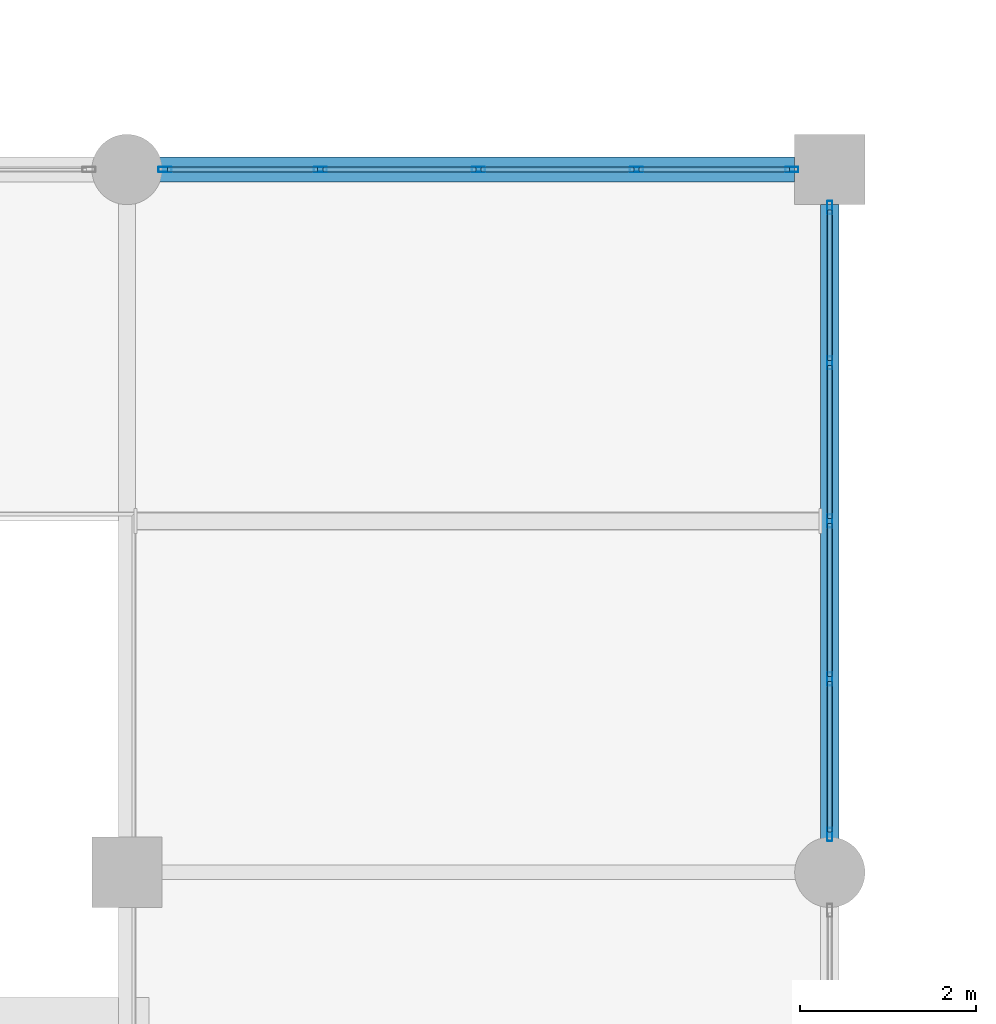
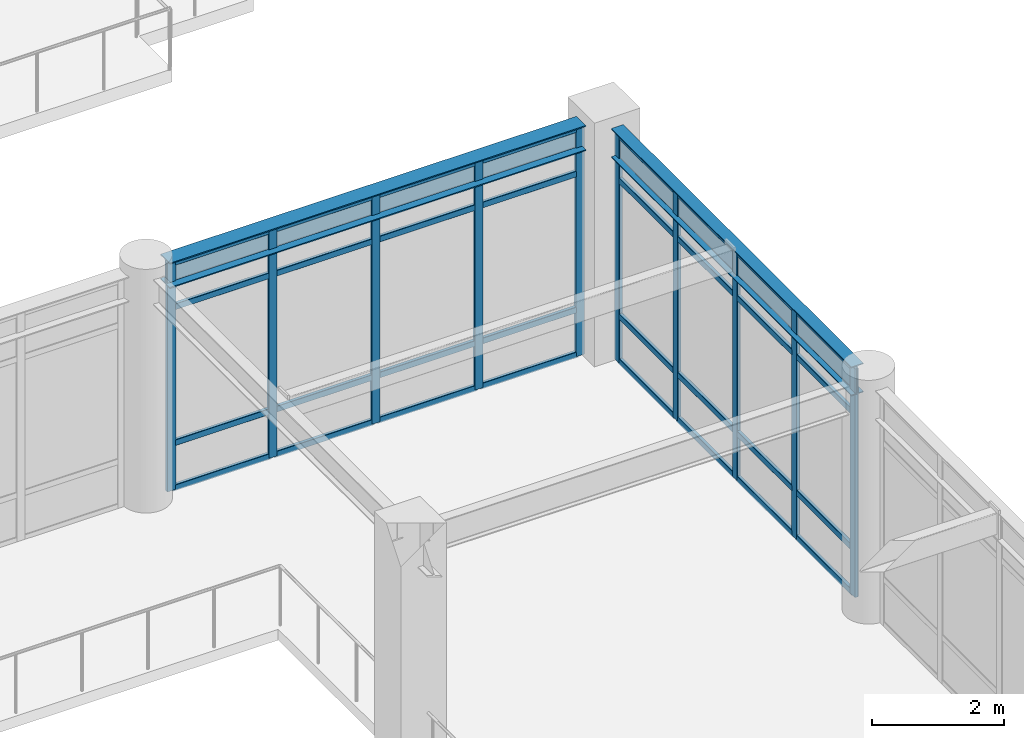
# One storey, part 47 of 93: 42 members, 2 beams, 2 elements without a shape of their own.
"""IFC4 building model written with IfcOpenShell, lengths in metres."""

from ifc_helpers import new_model, si_unit, direction, frame, origin, origin_2d, place, context, subcontext, project, spatial, hollow_rectangle, i_section, extrude, material, material_profile, profile_set, type_object, element, aggregate, save


model = new_model("IFC4")

# Units and contexts
model_context = context("Model", 3, precision=1e-05, world=origin(), true_north=direction((0.0, 1.0)))
body_context = subcontext(model_context, "Body", "Model", "MODEL_VIEW")
ifc_project = project(units=[si_unit("LENGTHUNIT", "METRE"), si_unit("AREAUNIT", "SQUARE_METRE"), si_unit("VOLUMEUNIT", "CUBIC_METRE"), si_unit("PLANEANGLEUNIT", "RADIAN"), si_unit("MASSUNIT", "GRAM", prefix="KILO")], contexts=[model_context])

# Site, building, storey
site_placement = place(None, origin())
site = spatial("IfcSite", under=ifc_project, at=site_placement, CompositionType="ELEMENT")
building_placement = place(site_placement, origin())
building = spatial("IfcBuilding", under=site, at=building_placement, Name="Solmirada Galleria", CompositionType="ELEMENT")
storey_placement = place(building_placement, frame((0.0, 0.0, 14.89990234375)))
storey = spatial("IfcBuildingStorey", under=building, at=storey_placement, Name="L03", CompositionType="ELEMENT", Elevation=14.89990234375)

# Beams
ifc_material_1 = material(Name="Steel S355 / ASTM A992 Grade 50", Category="steel")
ifc_material_profile_1 = material_profile(ifc_material_1, i_section(OverallWidth=0.281982421875, OverallDepth=0.467041015625, WebThickness=0.01220703125, FlangeThickness=0.01953125, FilletRadius=0.013916015625, at=origin_2d()), Name="W18X86")
ifc_profile_set_1 = profile_set([ifc_material_profile_1], Name="Steel S355 / ASTM A992 Grade 50")
beam_type_1 = type_object("IfcBeamType", Name="BM-GIRD-W18A", PredefinedType="BEAM", material=ifc_profile_set_1)
beam_1_placement = place(storey_placement, frame((104.3359375, 72.0, 4.066650390625), z_axis=(1.0, 0.0, 0.0), x_axis=(0.0, 1.0, 0.0)))
element("IfcBeam", 1, at=beam_1_placement, inside=storey, type_object=beam_type_1, Name="Primary beam L04 X(104..112, 72)", PredefinedType="BEAM", context=body_context, shape_type="SweptSolid", body=[
    extrude(i_section(OverallWidth=0.281982421875, OverallDepth=0.467041015625, WebThickness=0.01220703125, FlangeThickness=0.01953125, FilletRadius=0.013916015625, at=origin_2d()), origin(), (0.0, 0.0, 1.0), 7.26416015625),
])
ifc_material_profile_2 = material_profile(ifc_material_1, i_section(OverallWidth=0.2099609375, OverallDepth=0.537109375, WebThickness=0.010986328125, FlangeThickness=0.017333984375, FilletRadius=0.014892578125, at=origin_2d()), Name="W21X68")
ifc_profile_set_2 = profile_set([ifc_material_profile_2], Name="Steel S355 / ASTM A992 Grade 50")
beam_type_2 = type_object("IfcBeamType", Name="BM-GIRD-W21B", PredefinedType="BEAM", material=ifc_profile_set_2)
beam_2_placement = place(storey_placement, frame((112.0, 64.3359375, 4.031494140625), z_axis=(0.0, 1.0, 0.0), x_axis=(-1.0, 0.0, 0.0)))
element("IfcBeam", 2, at=beam_2_placement, inside=storey, type_object=beam_type_2, Name="Primary girder L04 Y(112, 64..72)", PredefinedType="BEAM", context=body_context, shape_type="SweptSolid", body=[
    extrude(i_section(OverallWidth=0.2099609375, OverallDepth=0.537109375, WebThickness=0.010986328125, FlangeThickness=0.017333984375, FilletRadius=0.014892578125, at=origin_2d()), origin(), (0.0, 0.0, 1.0), 7.26416015625),
])

# Curtain wall, members
ifc_material_2 = material(Name="Impact-resistant low-E double glazing", Category="glass")
curtain_wall_type = type_object("IfcCurtainWallType", Name="CW-FZ3-L03-B4-L072", PredefinedType="NOTDEFINED", material=ifc_material_2)
curtain_wall_1_placement = place(storey_placement, origin())
curtain_wall_1 = element("IfcCurtainWall", 3, at=curtain_wall_1_placement, inside=storey, type_object=curtain_wall_type, Name="Terrace and arcade storefront CW-L03-130", PredefinedType="NOTDEFINED")
ifc_material_3 = material(Name="Anodised aluminium framing", Category="aluminium")
ifc_material_profile_3 = material_profile(ifc_material_3, hollow_rectangle(XDim=0.06005859375, YDim=0.14990234375, WallThickness=0.00341796875, InnerFilletRadius=0.00341796875, OuterFilletRadius=0.007080078125, at=origin_2d()), Name="ALU-MULL-150X60")
ifc_profile_set_3 = profile_set([ifc_material_profile_3], Name="Anodised aluminium framing")
member_type_1 = type_object("IfcMemberType", Name="CW-MULL-150", PredefinedType="MULLION", material=ifc_profile_set_3)
member_1_placement = place(storey_placement, frame((104.431884765625, 72.0, 0.0), z_axis=(0.0, 0.0, 1.0), x_axis=(0.0, 1.0, 0.0)))
member_1 = element("IfcMember", 4, at=member_1_placement, type_object=member_type_1, Name="CW27 mullion 1", PredefinedType="MULLION", context=body_context, shape_type="SweptSolid", body=[
    extrude(hollow_rectangle(XDim=0.06005859375, YDim=0.14990234375, WallThickness=0.00341796875, InnerFilletRadius=0.00341796875, OuterFilletRadius=0.007080078125, at=origin_2d()), origin(), (0.0, 0.0, 1.0), 4.22021484375),
])
member_2_placement = place(storey_placement, frame((106.200927734375, 72.0, 0.0), z_axis=(0.0, 0.0, 1.0), x_axis=(0.0, 1.0, 0.0)))
member_2 = element("IfcMember", 5, at=member_2_placement, type_object=member_type_1, Name="CW27 mullion 2", PredefinedType="MULLION", context=body_context, shape_type="SweptSolid", body=[
    extrude(hollow_rectangle(XDim=0.06005859375, YDim=0.14990234375, WallThickness=0.00341796875, InnerFilletRadius=0.00341796875, OuterFilletRadius=0.007080078125, at=origin_2d()), origin(), (0.0, 0.0, 1.0), 4.22021484375),
])
member_3_placement = place(storey_placement, frame((108.0, 72.0, 0.0), z_axis=(0.0, 0.0, 1.0), x_axis=(0.0, 1.0, 0.0)))
member_3 = element("IfcMember", 6, at=member_3_placement, type_object=member_type_1, Name="CW27 mullion 3", PredefinedType="MULLION", context=body_context, shape_type="SweptSolid", body=[
    extrude(hollow_rectangle(XDim=0.06005859375, YDim=0.14990234375, WallThickness=0.00341796875, InnerFilletRadius=0.00341796875, OuterFilletRadius=0.007080078125, at=origin_2d()), origin(), (0.0, 0.0, 1.0), 4.22021484375),
])
member_4_placement = place(storey_placement, frame((109.799072265625, 72.0, 0.0), z_axis=(0.0, 0.0, 1.0), x_axis=(0.0, 1.0, 0.0)))
member_4 = element("IfcMember", 7, at=member_4_placement, type_object=member_type_1, Name="CW27 mullion 4", PredefinedType="MULLION", context=body_context, shape_type="SweptSolid", body=[
    extrude(hollow_rectangle(XDim=0.06005859375, YDim=0.14990234375, WallThickness=0.00341796875, InnerFilletRadius=0.00341796875, OuterFilletRadius=0.007080078125, at=origin_2d()), origin(), (0.0, 0.0, 1.0), 4.22021484375),
])
member_5_placement = place(storey_placement, frame((111.568115234375, 72.0, 0.0), z_axis=(0.0, 0.0, 1.0), x_axis=(0.0, 1.0, 0.0)))
member_5 = element("IfcMember", 8, at=member_5_placement, type_object=member_type_1, Name="CW27 mullion 5", PredefinedType="MULLION", context=body_context, shape_type="SweptSolid", body=[
    extrude(hollow_rectangle(XDim=0.06005859375, YDim=0.14990234375, WallThickness=0.00341796875, InnerFilletRadius=0.00341796875, OuterFilletRadius=0.007080078125, at=origin_2d()), origin(), (0.0, 0.0, 1.0), 4.22021484375),
])

curtain_wall_2_placement = place(storey_placement, origin())
curtain_wall_2 = element("IfcCurtainWall", 9, at=curtain_wall_2_placement, inside=storey, type_object=curtain_wall_type, Name="Terrace and arcade storefront CW-L03-131", PredefinedType="NOTDEFINED")
member_6_placement = place(storey_placement, frame((112.0, 71.568115234375, 0.0), z_axis=(0.0, 0.0, 1.0), x_axis=(1.0, 0.0, 0.0)))
member_6 = element("IfcMember", 10, at=member_6_placement, type_object=member_type_1, Name="CW27 mullion 1", PredefinedType="MULLION", context=body_context, shape_type="SweptSolid", body=[
    extrude(hollow_rectangle(XDim=0.06005859375, YDim=0.14990234375, WallThickness=0.00341796875, InnerFilletRadius=0.00341796875, OuterFilletRadius=0.007080078125, at=origin_2d()), origin(), (0.0, 0.0, 1.0), 4.22021484375),
])
member_7_placement = place(storey_placement, frame((112.0, 69.799072265625, 0.0), z_axis=(0.0, 0.0, 1.0), x_axis=(1.0, 0.0, 0.0)))
member_7 = element("IfcMember", 11, at=member_7_placement, type_object=member_type_1, Name="CW27 mullion 2", PredefinedType="MULLION", context=body_context, shape_type="SweptSolid", body=[
    extrude(hollow_rectangle(XDim=0.06005859375, YDim=0.14990234375, WallThickness=0.00341796875, InnerFilletRadius=0.00341796875, OuterFilletRadius=0.007080078125, at=origin_2d()), origin(), (0.0, 0.0, 1.0), 4.22021484375),
])
member_8_placement = place(storey_placement, frame((112.0, 68.0, 0.0), z_axis=(0.0, 0.0, 1.0), x_axis=(1.0, 0.0, 0.0)))
member_8 = element("IfcMember", 12, at=member_8_placement, type_object=member_type_1, Name="CW27 mullion 3", PredefinedType="MULLION", context=body_context, shape_type="SweptSolid", body=[
    extrude(hollow_rectangle(XDim=0.06005859375, YDim=0.14990234375, WallThickness=0.00341796875, InnerFilletRadius=0.00341796875, OuterFilletRadius=0.007080078125, at=origin_2d()), origin(), (0.0, 0.0, 1.0), 4.22021484375),
])
member_9_placement = place(storey_placement, frame((112.0, 66.200927734375, 0.0), z_axis=(0.0, 0.0, 1.0), x_axis=(1.0, 0.0, 0.0)))
member_9 = element("IfcMember", 13, at=member_9_placement, type_object=member_type_1, Name="CW27 mullion 4", PredefinedType="MULLION", context=body_context, shape_type="SweptSolid", body=[
    extrude(hollow_rectangle(XDim=0.06005859375, YDim=0.14990234375, WallThickness=0.00341796875, InnerFilletRadius=0.00341796875, OuterFilletRadius=0.007080078125, at=origin_2d()), origin(), (0.0, 0.0, 1.0), 4.22021484375),
])
member_10_placement = place(storey_placement, frame((112.0, 64.431884765625, 0.0), z_axis=(0.0, 0.0, 1.0), x_axis=(1.0, 0.0, 0.0)))
member_10 = element("IfcMember", 14, at=member_10_placement, type_object=member_type_1, Name="CW27 mullion 5", PredefinedType="MULLION", context=body_context, shape_type="SweptSolid", body=[
    extrude(hollow_rectangle(XDim=0.06005859375, YDim=0.14990234375, WallThickness=0.00341796875, InnerFilletRadius=0.00341796875, OuterFilletRadius=0.007080078125, at=origin_2d()), origin(), (0.0, 0.0, 1.0), 4.22021484375),
])

# Member
ifc_material_profile_4 = material_profile(ifc_material_3, hollow_rectangle(XDim=0.06005859375, YDim=0.110107421875, WallThickness=0.003173828125, InnerFilletRadius=0.003173828125, OuterFilletRadius=0.00634765625, at=origin_2d()), Name="ALU-TRAN-110X60")
ifc_profile_set_4 = profile_set([ifc_material_profile_4], Name="Anodised aluminium framing")
member_type_2 = type_object("IfcMemberType", Name="CW-TRAN-110", PredefinedType="USERDEFINED", material=ifc_profile_set_4)
member_11_placement = place(storey_placement, frame((104.4619140625, 72.0, 0.030029296875), z_axis=(1.0, 0.0, 0.0), x_axis=(0.0, 1.0, 0.0)))
member_11 = element("IfcMember", 15, at=member_11_placement, type_object=member_type_2, Name="CW27 transom 1.1", ObjectType="TRANSOM", PredefinedType="USERDEFINED", context=body_context, shape_type="SweptSolid", body=[
    extrude(hollow_rectangle(XDim=0.06005859375, YDim=0.110107421875, WallThickness=0.003173828125, InnerFilletRadius=0.003173828125, OuterFilletRadius=0.00634765625, at=origin_2d()), origin(), (0.0, 0.0, 1.0), 1.708984375),
])

member_12_placement = place(storey_placement, frame((104.4619140625, 72.0, 0.860107421875), z_axis=(1.0, 0.0, 0.0), x_axis=(0.0, 1.0, 0.0)))
member_12 = element("IfcMember", 16, at=member_12_placement, type_object=member_type_2, Name="CW27 transom 1.2", ObjectType="TRANSOM", PredefinedType="USERDEFINED", context=body_context, shape_type="SweptSolid", body=[
    extrude(hollow_rectangle(XDim=0.06005859375, YDim=0.110107421875, WallThickness=0.003173828125, InnerFilletRadius=0.003173828125, OuterFilletRadius=0.00634765625, at=origin_2d()), origin(), (0.0, 0.0, 1.0), 1.708984375),
])

member_13_placement = place(storey_placement, frame((104.4619140625, 72.0, 3.3701171875), z_axis=(1.0, 0.0, 0.0), x_axis=(0.0, 1.0, 0.0)))
member_13 = element("IfcMember", 17, at=member_13_placement, type_object=member_type_2, Name="CW27 transom 1.3", ObjectType="TRANSOM", PredefinedType="USERDEFINED", context=body_context, shape_type="SweptSolid", body=[
    extrude(hollow_rectangle(XDim=0.06005859375, YDim=0.110107421875, WallThickness=0.003173828125, InnerFilletRadius=0.003173828125, OuterFilletRadius=0.00634765625, at=origin_2d()), origin(), (0.0, 0.0, 1.0), 1.708984375),
])

member_14_placement = place(storey_placement, frame((104.4619140625, 72.0, 4.190185546875), z_axis=(1.0, 0.0, 0.0), x_axis=(0.0, 1.0, 0.0)))
member_14 = element("IfcMember", 18, at=member_14_placement, type_object=member_type_2, Name="CW27 transom 1.4", ObjectType="TRANSOM", PredefinedType="USERDEFINED", context=body_context, shape_type="SweptSolid", body=[
    extrude(hollow_rectangle(XDim=0.06005859375, YDim=0.110107421875, WallThickness=0.003173828125, InnerFilletRadius=0.003173828125, OuterFilletRadius=0.00634765625, at=origin_2d()), origin(), (0.0, 0.0, 1.0), 1.708984375),
])

member_15_placement = place(storey_placement, frame((106.23095703125, 72.0, 0.030029296875), z_axis=(1.0, 0.0, 0.0), x_axis=(0.0, 1.0, 0.0)))
member_15 = element("IfcMember", 19, at=member_15_placement, type_object=member_type_2, Name="CW27 transom 2.1", ObjectType="TRANSOM", PredefinedType="USERDEFINED", context=body_context, shape_type="SweptSolid", body=[
    extrude(hollow_rectangle(XDim=0.06005859375, YDim=0.110107421875, WallThickness=0.003173828125, InnerFilletRadius=0.003173828125, OuterFilletRadius=0.00634765625, at=origin_2d()), origin(), (0.0, 0.0, 1.0), 1.739013671875),
])

member_16_placement = place(storey_placement, frame((106.23095703125, 72.0, 0.860107421875), z_axis=(1.0, 0.0, 0.0), x_axis=(0.0, 1.0, 0.0)))
member_16 = element("IfcMember", 20, at=member_16_placement, type_object=member_type_2, Name="CW27 transom 2.2", ObjectType="TRANSOM", PredefinedType="USERDEFINED", context=body_context, shape_type="SweptSolid", body=[
    extrude(hollow_rectangle(XDim=0.06005859375, YDim=0.110107421875, WallThickness=0.003173828125, InnerFilletRadius=0.003173828125, OuterFilletRadius=0.00634765625, at=origin_2d()), origin(), (0.0, 0.0, 1.0), 1.739013671875),
])

member_17_placement = place(storey_placement, frame((106.23095703125, 72.0, 3.3701171875), z_axis=(1.0, 0.0, 0.0), x_axis=(0.0, 1.0, 0.0)))
member_17 = element("IfcMember", 21, at=member_17_placement, type_object=member_type_2, Name="CW27 transom 2.3", ObjectType="TRANSOM", PredefinedType="USERDEFINED", context=body_context, shape_type="SweptSolid", body=[
    extrude(hollow_rectangle(XDim=0.06005859375, YDim=0.110107421875, WallThickness=0.003173828125, InnerFilletRadius=0.003173828125, OuterFilletRadius=0.00634765625, at=origin_2d()), origin(), (0.0, 0.0, 1.0), 1.739013671875),
])

member_18_placement = place(storey_placement, frame((106.23095703125, 72.0, 4.190185546875), z_axis=(1.0, 0.0, 0.0), x_axis=(0.0, 1.0, 0.0)))
member_18 = element("IfcMember", 22, at=member_18_placement, type_object=member_type_2, Name="CW27 transom 2.4", ObjectType="TRANSOM", PredefinedType="USERDEFINED", context=body_context, shape_type="SweptSolid", body=[
    extrude(hollow_rectangle(XDim=0.06005859375, YDim=0.110107421875, WallThickness=0.003173828125, InnerFilletRadius=0.003173828125, OuterFilletRadius=0.00634765625, at=origin_2d()), origin(), (0.0, 0.0, 1.0), 1.739013671875),
])

member_19_placement = place(storey_placement, frame((108.030029296875, 72.0, 0.030029296875), z_axis=(1.0, 0.0, 0.0), x_axis=(0.0, 1.0, 0.0)))
member_19 = element("IfcMember", 23, at=member_19_placement, type_object=member_type_2, Name="CW27 transom 3.1", ObjectType="TRANSOM", PredefinedType="USERDEFINED", context=body_context, shape_type="SweptSolid", body=[
    extrude(hollow_rectangle(XDim=0.06005859375, YDim=0.110107421875, WallThickness=0.003173828125, InnerFilletRadius=0.003173828125, OuterFilletRadius=0.00634765625, at=origin_2d()), origin(), (0.0, 0.0, 1.0), 1.739013671875),
])

member_20_placement = place(storey_placement, frame((108.030029296875, 72.0, 0.860107421875), z_axis=(1.0, 0.0, 0.0), x_axis=(0.0, 1.0, 0.0)))
member_20 = element("IfcMember", 24, at=member_20_placement, type_object=member_type_2, Name="CW27 transom 3.2", ObjectType="TRANSOM", PredefinedType="USERDEFINED", context=body_context, shape_type="SweptSolid", body=[
    extrude(hollow_rectangle(XDim=0.06005859375, YDim=0.110107421875, WallThickness=0.003173828125, InnerFilletRadius=0.003173828125, OuterFilletRadius=0.00634765625, at=origin_2d()), origin(), (0.0, 0.0, 1.0), 1.739013671875),
])

member_21_placement = place(storey_placement, frame((108.030029296875, 72.0, 3.3701171875), z_axis=(1.0, 0.0, 0.0), x_axis=(0.0, 1.0, 0.0)))
member_21 = element("IfcMember", 25, at=member_21_placement, type_object=member_type_2, Name="CW27 transom 3.3", ObjectType="TRANSOM", PredefinedType="USERDEFINED", context=body_context, shape_type="SweptSolid", body=[
    extrude(hollow_rectangle(XDim=0.06005859375, YDim=0.110107421875, WallThickness=0.003173828125, InnerFilletRadius=0.003173828125, OuterFilletRadius=0.00634765625, at=origin_2d()), origin(), (0.0, 0.0, 1.0), 1.739013671875),
])

member_22_placement = place(storey_placement, frame((108.030029296875, 72.0, 4.190185546875), z_axis=(1.0, 0.0, 0.0), x_axis=(0.0, 1.0, 0.0)))
member_22 = element("IfcMember", 26, at=member_22_placement, type_object=member_type_2, Name="CW27 transom 3.4", ObjectType="TRANSOM", PredefinedType="USERDEFINED", context=body_context, shape_type="SweptSolid", body=[
    extrude(hollow_rectangle(XDim=0.06005859375, YDim=0.110107421875, WallThickness=0.003173828125, InnerFilletRadius=0.003173828125, OuterFilletRadius=0.00634765625, at=origin_2d()), origin(), (0.0, 0.0, 1.0), 1.739013671875),
])

member_23_placement = place(storey_placement, frame((109.8291015625, 72.0, 0.030029296875), z_axis=(1.0, 0.0, 0.0), x_axis=(0.0, 1.0, 0.0)))
member_23 = element("IfcMember", 27, at=member_23_placement, type_object=member_type_2, Name="CW27 transom 4.1", ObjectType="TRANSOM", PredefinedType="USERDEFINED", context=body_context, shape_type="SweptSolid", body=[
    extrude(hollow_rectangle(XDim=0.06005859375, YDim=0.110107421875, WallThickness=0.003173828125, InnerFilletRadius=0.003173828125, OuterFilletRadius=0.00634765625, at=origin_2d()), origin(), (0.0, 0.0, 1.0), 1.708984375),
])

member_24_placement = place(storey_placement, frame((109.8291015625, 72.0, 0.860107421875), z_axis=(1.0, 0.0, 0.0), x_axis=(0.0, 1.0, 0.0)))
member_24 = element("IfcMember", 28, at=member_24_placement, type_object=member_type_2, Name="CW27 transom 4.2", ObjectType="TRANSOM", PredefinedType="USERDEFINED", context=body_context, shape_type="SweptSolid", body=[
    extrude(hollow_rectangle(XDim=0.06005859375, YDim=0.110107421875, WallThickness=0.003173828125, InnerFilletRadius=0.003173828125, OuterFilletRadius=0.00634765625, at=origin_2d()), origin(), (0.0, 0.0, 1.0), 1.708984375),
])

member_25_placement = place(storey_placement, frame((109.8291015625, 72.0, 3.3701171875), z_axis=(1.0, 0.0, 0.0), x_axis=(0.0, 1.0, 0.0)))
member_25 = element("IfcMember", 29, at=member_25_placement, type_object=member_type_2, Name="CW27 transom 4.3", ObjectType="TRANSOM", PredefinedType="USERDEFINED", context=body_context, shape_type="SweptSolid", body=[
    extrude(hollow_rectangle(XDim=0.06005859375, YDim=0.110107421875, WallThickness=0.003173828125, InnerFilletRadius=0.003173828125, OuterFilletRadius=0.00634765625, at=origin_2d()), origin(), (0.0, 0.0, 1.0), 1.708984375),
])

member_26_placement = place(storey_placement, frame((109.8291015625, 72.0, 4.190185546875), z_axis=(1.0, 0.0, 0.0), x_axis=(0.0, 1.0, 0.0)))
member_26 = element("IfcMember", 30, at=member_26_placement, type_object=member_type_2, Name="CW27 transom 4.4", ObjectType="TRANSOM", PredefinedType="USERDEFINED", context=body_context, shape_type="SweptSolid", body=[
    extrude(hollow_rectangle(XDim=0.06005859375, YDim=0.110107421875, WallThickness=0.003173828125, InnerFilletRadius=0.003173828125, OuterFilletRadius=0.00634765625, at=origin_2d()), origin(), (0.0, 0.0, 1.0), 1.708984375),
])

aggregate(curtain_wall_1, [member_1, member_2, member_3, member_4, member_5, member_11, member_12, member_13, member_14, member_15, member_16, member_17, member_18, member_19, member_20, member_21, member_22, member_23, member_24, member_25, member_26])

member_27_placement = place(storey_placement, frame((112.0, 71.5380859375, 0.030029296875), z_axis=(0.0, -1.0, 0.0), x_axis=(1.0, 0.0, 0.0)))
member_27 = element("IfcMember", 31, at=member_27_placement, type_object=member_type_2, Name="CW27 transom 1.1", ObjectType="TRANSOM", PredefinedType="USERDEFINED", context=body_context, shape_type="SweptSolid", body=[
    extrude(hollow_rectangle(XDim=0.06005859375, YDim=0.110107421875, WallThickness=0.003173828125, InnerFilletRadius=0.003173828125, OuterFilletRadius=0.00634765625, at=origin_2d()), origin(), (0.0, 0.0, 1.0), 1.708984375),
])

member_28_placement = place(storey_placement, frame((112.0, 71.5380859375, 0.860107421875), z_axis=(0.0, -1.0, 0.0), x_axis=(1.0, 0.0, 0.0)))
member_28 = element("IfcMember", 32, at=member_28_placement, type_object=member_type_2, Name="CW27 transom 1.2", ObjectType="TRANSOM", PredefinedType="USERDEFINED", context=body_context, shape_type="SweptSolid", body=[
    extrude(hollow_rectangle(XDim=0.06005859375, YDim=0.110107421875, WallThickness=0.003173828125, InnerFilletRadius=0.003173828125, OuterFilletRadius=0.00634765625, at=origin_2d()), origin(), (0.0, 0.0, 1.0), 1.708984375),
])

member_29_placement = place(storey_placement, frame((112.0, 71.5380859375, 3.3701171875), z_axis=(0.0, -1.0, 0.0), x_axis=(1.0, 0.0, 0.0)))
member_29 = element("IfcMember", 33, at=member_29_placement, type_object=member_type_2, Name="CW27 transom 1.3", ObjectType="TRANSOM", PredefinedType="USERDEFINED", context=body_context, shape_type="SweptSolid", body=[
    extrude(hollow_rectangle(XDim=0.06005859375, YDim=0.110107421875, WallThickness=0.003173828125, InnerFilletRadius=0.003173828125, OuterFilletRadius=0.00634765625, at=origin_2d()), origin(), (0.0, 0.0, 1.0), 1.708984375),
])

member_30_placement = place(storey_placement, frame((112.0, 71.5380859375, 4.190185546875), z_axis=(0.0, -1.0, 0.0), x_axis=(1.0, 0.0, 0.0)))
member_30 = element("IfcMember", 34, at=member_30_placement, type_object=member_type_2, Name="CW27 transom 1.4", ObjectType="TRANSOM", PredefinedType="USERDEFINED", context=body_context, shape_type="SweptSolid", body=[
    extrude(hollow_rectangle(XDim=0.06005859375, YDim=0.110107421875, WallThickness=0.003173828125, InnerFilletRadius=0.003173828125, OuterFilletRadius=0.00634765625, at=origin_2d()), origin(), (0.0, 0.0, 1.0), 1.708984375),
])

member_31_placement = place(storey_placement, frame((112.0, 69.76904296875, 0.030029296875), z_axis=(0.0, -1.0, 0.0), x_axis=(1.0, 0.0, 0.0)))
member_31 = element("IfcMember", 35, at=member_31_placement, type_object=member_type_2, Name="CW27 transom 2.1", ObjectType="TRANSOM", PredefinedType="USERDEFINED", context=body_context, shape_type="SweptSolid", body=[
    extrude(hollow_rectangle(XDim=0.06005859375, YDim=0.110107421875, WallThickness=0.003173828125, InnerFilletRadius=0.003173828125, OuterFilletRadius=0.00634765625, at=origin_2d()), origin(), (0.0, 0.0, 1.0), 1.739013671875),
])

member_32_placement = place(storey_placement, frame((112.0, 69.76904296875, 0.860107421875), z_axis=(0.0, -1.0, 0.0), x_axis=(1.0, 0.0, 0.0)))
member_32 = element("IfcMember", 36, at=member_32_placement, type_object=member_type_2, Name="CW27 transom 2.2", ObjectType="TRANSOM", PredefinedType="USERDEFINED", context=body_context, shape_type="SweptSolid", body=[
    extrude(hollow_rectangle(XDim=0.06005859375, YDim=0.110107421875, WallThickness=0.003173828125, InnerFilletRadius=0.003173828125, OuterFilletRadius=0.00634765625, at=origin_2d()), origin(), (0.0, 0.0, 1.0), 1.739013671875),
])

member_33_placement = place(storey_placement, frame((112.0, 69.76904296875, 3.3701171875), z_axis=(0.0, -1.0, 0.0), x_axis=(1.0, 0.0, 0.0)))
member_33 = element("IfcMember", 37, at=member_33_placement, type_object=member_type_2, Name="CW27 transom 2.3", ObjectType="TRANSOM", PredefinedType="USERDEFINED", context=body_context, shape_type="SweptSolid", body=[
    extrude(hollow_rectangle(XDim=0.06005859375, YDim=0.110107421875, WallThickness=0.003173828125, InnerFilletRadius=0.003173828125, OuterFilletRadius=0.00634765625, at=origin_2d()), origin(), (0.0, 0.0, 1.0), 1.739013671875),
])

member_34_placement = place(storey_placement, frame((112.0, 69.76904296875, 4.190185546875), z_axis=(0.0, -1.0, 0.0), x_axis=(1.0, 0.0, 0.0)))
member_34 = element("IfcMember", 38, at=member_34_placement, type_object=member_type_2, Name="CW27 transom 2.4", ObjectType="TRANSOM", PredefinedType="USERDEFINED", context=body_context, shape_type="SweptSolid", body=[
    extrude(hollow_rectangle(XDim=0.06005859375, YDim=0.110107421875, WallThickness=0.003173828125, InnerFilletRadius=0.003173828125, OuterFilletRadius=0.00634765625, at=origin_2d()), origin(), (0.0, 0.0, 1.0), 1.739013671875),
])

member_35_placement = place(storey_placement, frame((112.0, 67.969970703125, 0.030029296875), z_axis=(0.0, -1.0, 0.0), x_axis=(1.0, 0.0, 0.0)))
member_35 = element("IfcMember", 39, at=member_35_placement, type_object=member_type_2, Name="CW27 transom 3.1", ObjectType="TRANSOM", PredefinedType="USERDEFINED", context=body_context, shape_type="SweptSolid", body=[
    extrude(hollow_rectangle(XDim=0.06005859375, YDim=0.110107421875, WallThickness=0.003173828125, InnerFilletRadius=0.003173828125, OuterFilletRadius=0.00634765625, at=origin_2d()), origin(), (0.0, 0.0, 1.0), 1.739013671875),
])

member_36_placement = place(storey_placement, frame((112.0, 67.969970703125, 0.860107421875), z_axis=(0.0, -1.0, 0.0), x_axis=(1.0, 0.0, 0.0)))
member_36 = element("IfcMember", 40, at=member_36_placement, type_object=member_type_2, Name="CW27 transom 3.2", ObjectType="TRANSOM", PredefinedType="USERDEFINED", context=body_context, shape_type="SweptSolid", body=[
    extrude(hollow_rectangle(XDim=0.06005859375, YDim=0.110107421875, WallThickness=0.003173828125, InnerFilletRadius=0.003173828125, OuterFilletRadius=0.00634765625, at=origin_2d()), origin(), (0.0, 0.0, 1.0), 1.739013671875),
])

member_37_placement = place(storey_placement, frame((112.0, 67.969970703125, 3.3701171875), z_axis=(0.0, -1.0, 0.0), x_axis=(1.0, 0.0, 0.0)))
member_37 = element("IfcMember", 41, at=member_37_placement, type_object=member_type_2, Name="CW27 transom 3.3", ObjectType="TRANSOM", PredefinedType="USERDEFINED", context=body_context, shape_type="SweptSolid", body=[
    extrude(hollow_rectangle(XDim=0.06005859375, YDim=0.110107421875, WallThickness=0.003173828125, InnerFilletRadius=0.003173828125, OuterFilletRadius=0.00634765625, at=origin_2d()), origin(), (0.0, 0.0, 1.0), 1.739013671875),
])

member_38_placement = place(storey_placement, frame((112.0, 67.969970703125, 4.190185546875), z_axis=(0.0, -1.0, 0.0), x_axis=(1.0, 0.0, 0.0)))
member_38 = element("IfcMember", 42, at=member_38_placement, type_object=member_type_2, Name="CW27 transom 3.4", ObjectType="TRANSOM", PredefinedType="USERDEFINED", context=body_context, shape_type="SweptSolid", body=[
    extrude(hollow_rectangle(XDim=0.06005859375, YDim=0.110107421875, WallThickness=0.003173828125, InnerFilletRadius=0.003173828125, OuterFilletRadius=0.00634765625, at=origin_2d()), origin(), (0.0, 0.0, 1.0), 1.739013671875),
])

member_39_placement = place(storey_placement, frame((112.0, 66.1708984375, 0.030029296875), z_axis=(0.0, -1.0, 0.0), x_axis=(1.0, 0.0, 0.0)))
member_39 = element("IfcMember", 43, at=member_39_placement, type_object=member_type_2, Name="CW27 transom 4.1", ObjectType="TRANSOM", PredefinedType="USERDEFINED", context=body_context, shape_type="SweptSolid", body=[
    extrude(hollow_rectangle(XDim=0.06005859375, YDim=0.110107421875, WallThickness=0.003173828125, InnerFilletRadius=0.003173828125, OuterFilletRadius=0.00634765625, at=origin_2d()), origin(), (0.0, 0.0, 1.0), 1.708984375),
])

member_40_placement = place(storey_placement, frame((112.0, 66.1708984375, 0.860107421875), z_axis=(0.0, -1.0, 0.0), x_axis=(1.0, 0.0, 0.0)))
member_40 = element("IfcMember", 44, at=member_40_placement, type_object=member_type_2, Name="CW27 transom 4.2", ObjectType="TRANSOM", PredefinedType="USERDEFINED", context=body_context, shape_type="SweptSolid", body=[
    extrude(hollow_rectangle(XDim=0.06005859375, YDim=0.110107421875, WallThickness=0.003173828125, InnerFilletRadius=0.003173828125, OuterFilletRadius=0.00634765625, at=origin_2d()), origin(), (0.0, 0.0, 1.0), 1.708984375),
])

member_41_placement = place(storey_placement, frame((112.0, 66.1708984375, 3.3701171875), z_axis=(0.0, -1.0, 0.0), x_axis=(1.0, 0.0, 0.0)))
member_41 = element("IfcMember", 45, at=member_41_placement, type_object=member_type_2, Name="CW27 transom 4.3", ObjectType="TRANSOM", PredefinedType="USERDEFINED", context=body_context, shape_type="SweptSolid", body=[
    extrude(hollow_rectangle(XDim=0.06005859375, YDim=0.110107421875, WallThickness=0.003173828125, InnerFilletRadius=0.003173828125, OuterFilletRadius=0.00634765625, at=origin_2d()), origin(), (0.0, 0.0, 1.0), 1.708984375),
])

member_42_placement = place(storey_placement, frame((112.0, 66.1708984375, 4.190185546875), z_axis=(0.0, -1.0, 0.0), x_axis=(1.0, 0.0, 0.0)))
member_42 = element("IfcMember", 46, at=member_42_placement, type_object=member_type_2, Name="CW27 transom 4.4", ObjectType="TRANSOM", PredefinedType="USERDEFINED", context=body_context, shape_type="SweptSolid", body=[
    extrude(hollow_rectangle(XDim=0.06005859375, YDim=0.110107421875, WallThickness=0.003173828125, InnerFilletRadius=0.003173828125, OuterFilletRadius=0.00634765625, at=origin_2d()), origin(), (0.0, 0.0, 1.0), 1.708984375),
])

aggregate(curtain_wall_2, [member_6, member_7, member_8, member_9, member_10, member_27, member_28, member_29, member_30, member_31, member_32, member_33, member_34, member_35, member_36, member_37, member_38, member_39, member_40, member_41, member_42])

save(model, "model.ifc")
